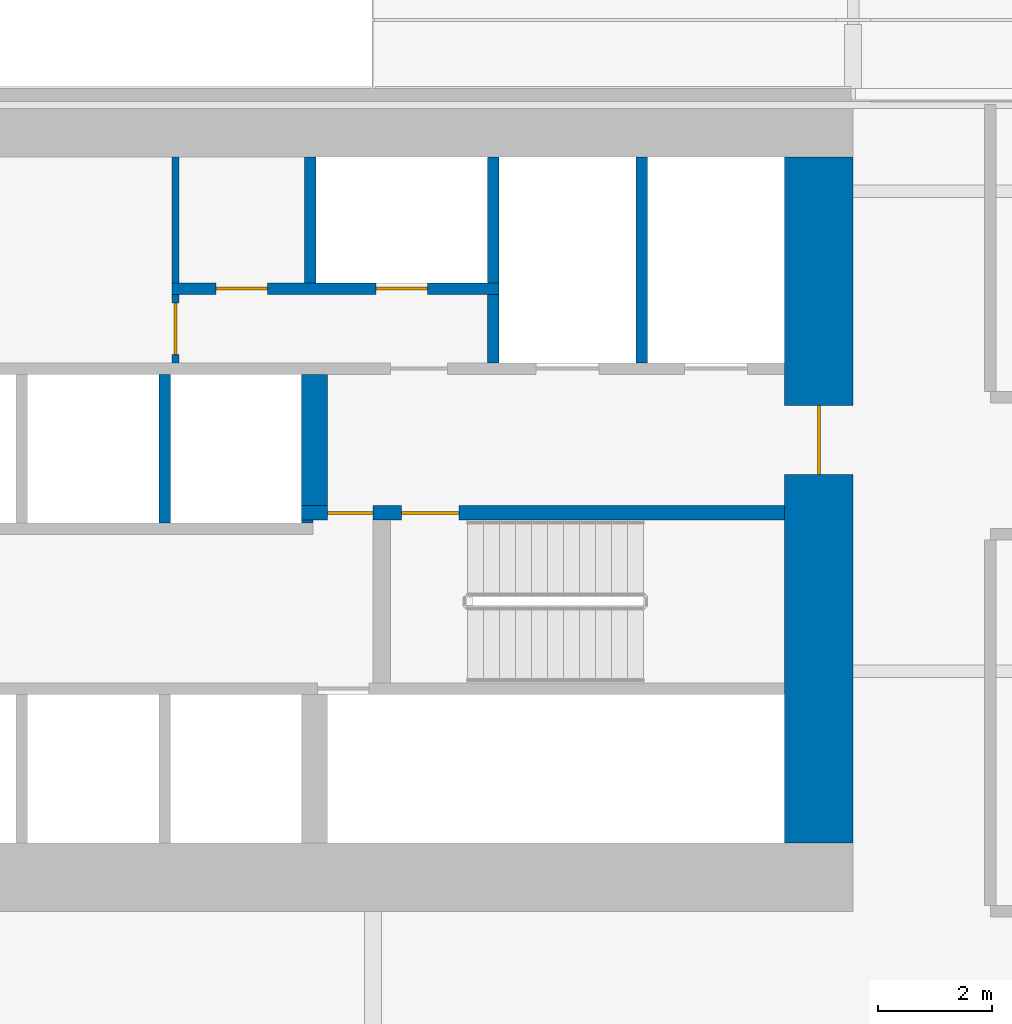
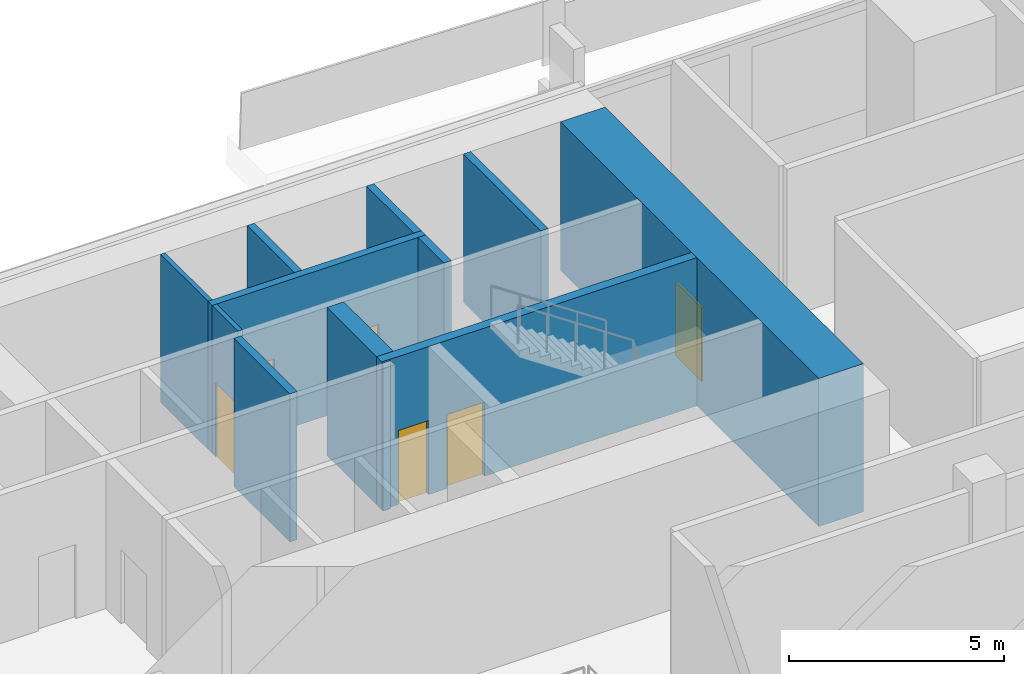
# One storey, part 17 of 23: 12 walls, 6 doors, 6 openings.
"""IFC4 building model written with IfcOpenShell, lengths in metres."""

from ifc_helpers import new_model, si_unit, direction, frame, frame_2d, origin, place, context, subcontext, project, spatial, rectangle, extrude, material, layer, layer_set, type_object, element, fill, save


model = new_model("IFC4")

# Units and contexts
model_context = context("Model", 3, precision=1e-05, world=origin(), true_north=direction((0.0, 1.0)))
body_context = subcontext(model_context, "Body", "Model", "MODEL_VIEW")
ifc_project = project(units=[si_unit("LENGTHUNIT", "METRE"), si_unit("AREAUNIT", "SQUARE_METRE"), si_unit("VOLUMEUNIT", "CUBIC_METRE"), si_unit("PLANEANGLEUNIT", "RADIAN"), si_unit("MASSUNIT", "GRAM", prefix="KILO")], contexts=[model_context])

# Site, building, storey
site_placement = place(None, origin())
site = spatial("IfcSite", under=ifc_project, at=site_placement, CompositionType="ELEMENT")
building_placement = place(site_placement, origin())
building = spatial("IfcBuilding", under=site, at=building_placement, Name="Saffron Gate Tower", CompositionType="ELEMENT")
storey_placement = place(building_placement, frame((0.0, 0.0, 23.699951171875)))
storey = spatial("IfcBuildingStorey", under=building, at=storey_placement, Name="L04", CompositionType="ELEMENT", Elevation=23.699951171875)

# Wall, opening, door
ifc_material_1 = material(Name="Concrete C70", Category="concrete")
ifc_layer_1 = layer(ifc_material_1, 1.199951171875)
ifc_layer_set_1 = layer_set([ifc_layer_1], Name="CW1 RC core wall 1200 C70")
wall_type_1 = type_object("IfcWallType", Name="CW1 RC core wall 1200 C70", PredefinedType="SOLIDWALL", material=ifc_layer_set_1)
wall_1_placement = place(storey_placement, frame((108.0, 62.39990234375, 0.0), z_axis=(0.0, 0.0, 1.0), x_axis=(0.0, 1.0, 0.0)))
wall_1 = element("IfcWall", 1, at=wall_1_placement, inside=storey, type_object=wall_type_1, Name="Wall CW1-L04-4", PredefinedType="SOLIDWALL", context=body_context, shape_type="SweptSolid", body=[
    extrude(rectangle(XDim=12.0, YDim=1.199951171875, at=frame_2d((6.0, 0.0))), origin(), (0.0, 0.0, 1.0), 4.199951171875),
])
opening_1_placement = place(wall_1_placement, frame((6.449951171875, 0.0, 0.0)))
opening_1 = element("IfcOpeningElement", 2, at=opening_1_placement, cuts=wall_1, Name="Opening CR-08", PredefinedType="OPENING", context=body_context, shape_type="SweptSolid", body=[
    extrude(rectangle(XDim=1.199951171875, YDim=2.10009765625, at=frame_2d((0.60009765625, 1.050048828125))), frame((0.0, 0.60986328125, 0.0), z_axis=(0.0, -1.0, 0.0), x_axis=(1.0, 0.0, 0.0)), (0.0, 0.0, 1.0), 1.219970703125),
])
ifc_material_2 = material(Name="Steel fire door set", Category="steel")
door_type_1 = type_object("IfcDoorType", Name="CD7 Core entrance door 1200x2100 EI 120", OperationType="NOTDEFINED", PredefinedType="DOOR", material=ifc_material_2)
door_1_placement = place(opening_1_placement, origin())
door_1 = element("IfcDoor", 3, at=door_1_placement, inside=storey, type_object=door_type_1, Name="DOOR CR-08", OperationType="SINGLE_SWING_RIGHT", OverallHeight=2.10009765625, OverallWidth=1.199951171875, PredefinedType="DOOR", context=body_context, shape_type="SweptSolid", body=[
    extrude(rectangle(XDim=1.199951171875, YDim=2.10009765625, at=frame_2d((0.60009765625, 1.050048828125))), frame((0.0, 0.02490234375, 0.0), z_axis=(0.0, -1.0, 0.0), x_axis=(1.0, 0.0, 0.0)), (0.0, 0.0, 1.0), 0.050048828125),
])
fill(opening_1, door_1)

# Wall, openings, doors
ifc_layer_2 = layer(ifc_material_1, 0.25)
ifc_layer_set_2 = layer_set([ifc_layer_2], Name="CW2 RC core wall 250 C70")
wall_type_2 = type_object("IfcWallType", Name="CW2 RC core wall 250 C70", PredefinedType="SOLIDWALL", material=ifc_layer_set_2)
wall_2_placement = place(storey_placement, frame((98.949951171875, 68.175048828125, 0.0), z_axis=(0.0, 0.0, 1.0), x_axis=(1.0, 0.0, 0.0)))
wall_2 = element("IfcWall", 4, at=wall_2_placement, inside=storey, type_object=wall_type_2, Name="Wall CW2-L04-31", PredefinedType="SOLIDWALL", context=body_context, shape_type="SweptSolid", body=[
    extrude(rectangle(XDim=8.449951171875, YDim=0.25, at=frame_2d((4.22509765625, 0.0))), origin(), (0.0, 0.0, 1.0), 4.199951171875),
])
opening_2_placement = place(wall_2_placement, frame((0.449951171875, 0.0, 0.0)))
opening_2 = element("IfcOpeningElement", 5, at=opening_2_placement, cuts=wall_2, Name="Opening CR-05", PredefinedType="OPENING", context=body_context, shape_type="SweptSolid", body=[
    extrude(rectangle(XDim=0.800048828125, YDim=2.10009765625, at=frame_2d((0.39990234375, 1.050048828125))), frame((0.0, 0.135009765625, 0.0), z_axis=(0.0, -1.0, 0.0), x_axis=(1.0, 0.0, 0.0)), (0.0, 0.0, 1.0), 0.27001953125),
])
opening_3_placement = place(wall_2_placement, frame((1.75, 0.0, 0.0)))
opening_3 = element("IfcOpeningElement", 6, at=opening_3_placement, cuts=wall_2, Name="Opening CR-16", PredefinedType="OPENING", context=body_context, shape_type="SweptSolid", body=[
    extrude(rectangle(XDim=1.0, YDim=2.10009765625, at=frame_2d((0.5, 1.050048828125))), frame((0.0, 0.135009765625, 0.0), z_axis=(0.0, -1.0, 0.0), x_axis=(1.0, 0.0, 0.0)), (0.0, 0.0, 1.0), 0.27001953125),
])
door_type_2 = type_object("IfcDoorType", Name="CD5 Stair door 1000x2100 EI 120", OperationType="NOTDEFINED", PredefinedType="DOOR", material=ifc_material_2)
door_2_placement = place(opening_3_placement, origin())
door_2 = element("IfcDoor", 7, at=door_2_placement, inside=storey, type_object=door_type_2, Name="DOOR CR-16", OperationType="SINGLE_SWING_RIGHT", OverallHeight=2.10009765625, OverallWidth=1.0, PredefinedType="DOOR", context=body_context, shape_type="SweptSolid", body=[
    extrude(rectangle(XDim=1.0, YDim=2.10009765625, at=frame_2d((0.5, 1.050048828125))), frame((0.0, 0.02490234375, 0.0), z_axis=(0.0, -1.0, 0.0), x_axis=(1.0, 0.0, 0.0)), (0.0, 0.0, 1.0), 0.050048828125),
])
fill(opening_3, door_2)
door_type_3 = type_object("IfcDoorType", Name="CD6 Lobby door 800x2100 EI 120", OperationType="NOTDEFINED", PredefinedType="DOOR", material=ifc_material_2)
door_3_placement = place(opening_2_placement, origin())
door_3 = element("IfcDoor", 8, at=door_3_placement, inside=storey, type_object=door_type_3, Name="DOOR CR-05", OperationType="SINGLE_SWING_LEFT", OverallHeight=2.10009765625, OverallWidth=0.800048828125, PredefinedType="DOOR", context=body_context, shape_type="SweptSolid", body=[
    extrude(rectangle(XDim=0.800048828125, YDim=2.10009765625, at=frame_2d((0.39990234375, 1.050048828125))), frame((0.0, 0.02490234375, 0.0), z_axis=(0.0, -1.0, 0.0), x_axis=(1.0, 0.0, 0.0)), (0.0, 0.0, 1.0), 0.050048828125),
])
fill(opening_2, door_3)

# Walls
ifc_layer_3 = layer(ifc_material_1, 0.199951171875)
ifc_layer_set_3 = layer_set([ifc_layer_3], Name="CW3 RC core wall 200 C70")
wall_type_3 = type_object("IfcWallType", Name="CW3 RC core wall 200 C70", PredefinedType="SOLIDWALL", material=ifc_layer_set_3)
wall_3_placement = place(storey_placement, frame((96.550048828125, 68.0, 0.0), z_axis=(0.0, 0.0, 1.0), x_axis=(0.0, 1.0, 0.0)))
element("IfcWall", 9, at=wall_3_placement, inside=storey, type_object=wall_type_3, Name="Wall CW3-L04-28", PredefinedType="SOLIDWALL", context=body_context, shape_type="SweptSolid", body=[
    extrude(rectangle(XDim=2.60009765625, YDim=0.199951171875, at=frame_2d((1.300048828125, 0.0))), origin(), (0.0, 0.0, 1.0), 4.199951171875),
])
wall_4_placement = place(storey_placement, frame((102.300048828125, 70.800048828125, 0.0), z_axis=(0.0, 0.0, 1.0), x_axis=(0.0, 1.0, 0.0)))
element("IfcWall", 10, at=wall_4_placement, inside=storey, type_object=wall_type_3, Name="Wall CW3-L04-40", PredefinedType="SOLIDWALL", context=body_context, shape_type="SweptSolid", body=[
    extrude(rectangle(XDim=1.199951171875, YDim=0.199951171875, at=frame_2d((0.60009765625, 0.0))), origin(), (0.0, 0.0, 1.0), 4.199951171875),
])
wall_5_placement = place(storey_placement, frame((104.89990234375, 70.800048828125, 0.0), z_axis=(0.0, 0.0, 1.0), x_axis=(0.0, 1.0, 0.0)))
element("IfcWall", 11, at=wall_5_placement, inside=storey, type_object=wall_type_3, Name="Wall CW3-L04-41", PredefinedType="SOLIDWALL", context=body_context, shape_type="SweptSolid", body=[
    extrude(rectangle(XDim=3.599853515625, YDim=0.199951171875, at=frame_2d((1.7998046875, 0.0))), origin(), (0.0, 0.0, 1.0), 4.199951171875),
])

# Wall, openings, doors
wall_6_placement = place(storey_placement, frame((96.679931640625, 72.10009765625, 0.0), z_axis=(0.0, 0.0, 1.0), x_axis=(1.0, 0.0, 0.0)))
wall_6 = element("IfcWall", 12, at=wall_6_placement, inside=storey, type_object=wall_type_3, Name="Wall CW3-L04-43", PredefinedType="SOLIDWALL", context=body_context, shape_type="SweptSolid", body=[
    extrude(rectangle(XDim=5.719970703125, YDim=0.199951171875, at=frame_2d((2.85986328125, 0.0))), origin(), (0.0, 0.0, 1.0), 4.199951171875),
])
opening_4_placement = place(wall_6_placement, frame((0.77001953125, 0.0, 0.0)))
opening_4 = element("IfcOpeningElement", 13, at=opening_4_placement, cuts=wall_6, Name="Opening CR-50", PredefinedType="OPENING", context=body_context, shape_type="SweptSolid", body=[
    extrude(rectangle(XDim=0.89990234375, YDim=2.10009765625, at=frame_2d((0.449951171875, 1.050048828125))), frame((0.0, 0.10986328125, 0.0), z_axis=(0.0, -1.0, 0.0), x_axis=(1.0, 0.0, 0.0)), (0.0, 0.0, 1.0), 0.219970703125),
])
opening_5_placement = place(wall_6_placement, frame((3.570068359375, 0.0, 0.0)))
opening_5 = element("IfcOpeningElement", 14, at=opening_5_placement, cuts=wall_6, Name="Opening CR-70", PredefinedType="OPENING", context=body_context, shape_type="SweptSolid", body=[
    extrude(rectangle(XDim=0.89990234375, YDim=2.10009765625, at=frame_2d((0.449951171875, 1.050048828125))), frame((0.0, 0.10986328125, 0.0), z_axis=(0.0, -1.0, 0.0), x_axis=(1.0, 0.0, 0.0)), (0.0, 0.0, 1.0), 0.219970703125),
])
door_type_4 = type_object("IfcDoorType", Name="CD2 Riser door 900x2100 EI 60", OperationType="NOTDEFINED", PredefinedType="DOOR", material=ifc_material_2)
door_4_placement = place(opening_5_placement, origin())
door_4 = element("IfcDoor", 15, at=door_4_placement, inside=storey, type_object=door_type_4, Name="DOOR CR-70", OperationType="SINGLE_SWING_LEFT", OverallHeight=2.10009765625, OverallWidth=0.89990234375, PredefinedType="DOOR", context=body_context, shape_type="SweptSolid", body=[
    extrude(rectangle(XDim=0.89990234375, YDim=2.10009765625, at=frame_2d((0.449951171875, 1.050048828125))), frame((0.0, 0.02490234375, 0.0), z_axis=(0.0, -1.0, 0.0), x_axis=(1.0, 0.0, 0.0)), (0.0, 0.0, 1.0), 0.050048828125),
])
fill(opening_5, door_4)
door_type_5 = type_object("IfcDoorType", Name="CD9 Room door 900x2100 EI 60", OperationType="NOTDEFINED", PredefinedType="DOOR", material=ifc_material_2)
door_5_placement = place(opening_4_placement, origin())
door_5 = element("IfcDoor", 16, at=door_5_placement, inside=storey, type_object=door_type_5, Name="DOOR CR-50", OperationType="SINGLE_SWING_LEFT", OverallHeight=2.10009765625, OverallWidth=0.89990234375, PredefinedType="DOOR", context=body_context, shape_type="SweptSolid", body=[
    extrude(rectangle(XDim=0.89990234375, YDim=2.10009765625, at=frame_2d((0.449951171875, 1.050048828125))), frame((0.0, 0.02490234375, 0.0), z_axis=(0.0, -1.0, 0.0), x_axis=(1.0, 0.0, 0.0)), (0.0, 0.0, 1.0), 0.050048828125),
])
fill(opening_4, door_5)

# Walls
for number, where, z_axis, x_axis, name in (
    (17, (99.10009765625, 72.199951171875, 0.0), (0.0, 0.0, 1.0), (0.0, 1.0, 0.0), "Wall CW3-L04-50"),
    (18, (102.300048828125, 72.199951171875, 0.0), (0.0, 0.0, 1.0), (0.0, 1.0, 0.0), "Wall CW3-L04-51"),
):
    element("IfcWall", number, at=place(storey_placement, frame(where, z_axis=z_axis, x_axis=x_axis)), inside=storey, type_object=wall_type_3, Name=name, PredefinedType="SOLIDWALL", context=body_context, shape_type="SweptSolid", body=[
        extrude(rectangle(XDim=2.199951171875, YDim=0.199951171875, at=frame_2d((1.10009765625, 0.0))), origin(), (0.0, 0.0, 1.0), 4.199951171875),
    ])
ifc_layer_4 = layer(ifc_material_1, 0.449951171875)
ifc_layer_set_4 = layer_set([ifc_layer_4], Name="CW4 RC core wall 450 C70")
wall_type_4 = type_object("IfcWallType", Name="CW4 RC core wall 450 C70", PredefinedType="SOLIDWALL", material=ifc_layer_set_4)
wall_7_placement = place(storey_placement, frame((99.175048828125, 68.300048828125, 0.0), z_axis=(0.0, 0.0, 1.0), x_axis=(0.0, 1.0, 0.0)))
element("IfcWall", 19, at=wall_7_placement, inside=storey, type_object=wall_type_4, Name="Wall CW4-L04-33", PredefinedType="SOLIDWALL", context=body_context, shape_type="SweptSolid", body=[
    extrude(rectangle(XDim=2.300048828125, YDim=0.449951171875, at=frame_2d((1.14990234375, 0.0))), origin(), (0.0, 0.0, 1.0), 4.199951171875),
])
ifc_layer_5 = layer(ifc_material_1, 0.050048828125)
ifc_layer_set_5 = layer_set([ifc_layer_5], Name="CW6 RC core wall 50 C70")
wall_type_5 = type_object("IfcWallType", Name="CW6 RC core wall 50 C70", PredefinedType="SOLIDWALL", material=ifc_layer_set_5)
wall_8_placement = place(storey_placement, frame((98.949951171875, 68.02490234375, 0.0), z_axis=(0.0, 0.0, 1.0), x_axis=(1.0, 0.0, 0.0)))
element("IfcWall", 20, at=wall_8_placement, inside=storey, type_object=wall_type_5, Name="Wall CW6-L04-29", PredefinedType="SOLIDWALL", context=body_context, shape_type="SweptSolid", body=[
    extrude(rectangle(XDim=0.199951171875, YDim=0.050048828125, at=frame_2d((0.10009765625, 0.0))), origin(), (0.0, 0.0, 1.0), 4.199951171875),
])

# Wall, opening, door
ifc_material_3 = material(Name="Gypsum board partition on steel studs", Category="steel")
ifc_layer_6 = layer(ifc_material_3, 0.1201171875)
ifc_layer_set_6 = layer_set([ifc_layer_6], Name="CW8 Core partition 120")
wall_type_6 = type_object("IfcWallType", Name="CW8 Core partition 120", PredefinedType="PARTITIONING", material=ifc_layer_set_6)
wall_9_placement = place(storey_placement, frame((96.739990234375, 70.800048828125, 0.0), z_axis=(0.0, 0.0, 1.0), x_axis=(0.0, 1.0, 0.0)))
wall_9 = element("IfcWall", 21, at=wall_9_placement, inside=storey, type_object=wall_type_6, Name="Wall CW8-L04-39", PredefinedType="PARTITIONING", context=body_context, shape_type="SweptSolid", body=[
    extrude(rectangle(XDim=1.199951171875, YDim=0.1201171875, at=frame_2d((0.60009765625, 0.0))), origin(), (0.0, 0.0, 1.0), 4.199951171875),
])
opening_6_placement = place(wall_9_placement, frame((0.14990234375, 0.0, 0.0)))
opening_6 = element("IfcOpeningElement", 22, at=opening_6_placement, cuts=wall_9, Name="Opening CR-54", PredefinedType="OPENING", context=body_context, shape_type="SweptSolid", body=[
    extrude(rectangle(XDim=0.89990234375, YDim=2.10009765625, at=frame_2d((0.449951171875, 1.050048828125))), frame((0.0, 0.070068359375, 0.0), z_axis=(0.0, -1.0, 0.0), x_axis=(1.0, 0.0, 0.0)), (0.0, 0.0, 1.0), 0.14013671875),
])
door_6_placement = place(opening_6_placement, origin())
door_6 = element("IfcDoor", 23, at=door_6_placement, inside=storey, type_object=door_type_5, Name="DOOR CR-54", OperationType="SINGLE_SWING_LEFT", OverallHeight=2.10009765625, OverallWidth=0.89990234375, PredefinedType="DOOR", context=body_context, shape_type="SweptSolid", body=[
    extrude(rectangle(XDim=0.89990234375, YDim=2.10009765625, at=frame_2d((0.449951171875, 1.050048828125))), frame((0.0, 0.02490234375, 0.0), z_axis=(0.0, -1.0, 0.0), x_axis=(1.0, 0.0, 0.0)), (0.0, 0.0, 1.0), 0.050048828125),
])
fill(opening_6, door_6)

# Wall
wall_10_placement = place(storey_placement, frame((96.739990234375, 72.199951171875, 0.0), z_axis=(0.0, 0.0, 1.0), x_axis=(0.0, 1.0, 0.0)))
element("IfcWall", 24, at=wall_10_placement, inside=storey, type_object=wall_type_6, Name="Wall CW8-L04-49", PredefinedType="PARTITIONING", context=body_context, shape_type="SweptSolid", body=[
    extrude(rectangle(XDim=2.199951171875, YDim=0.1201171875, at=frame_2d((1.10009765625, 0.0))), origin(), (0.0, 0.0, 1.0), 4.199951171875),
])

save(model, "model.ifc")
